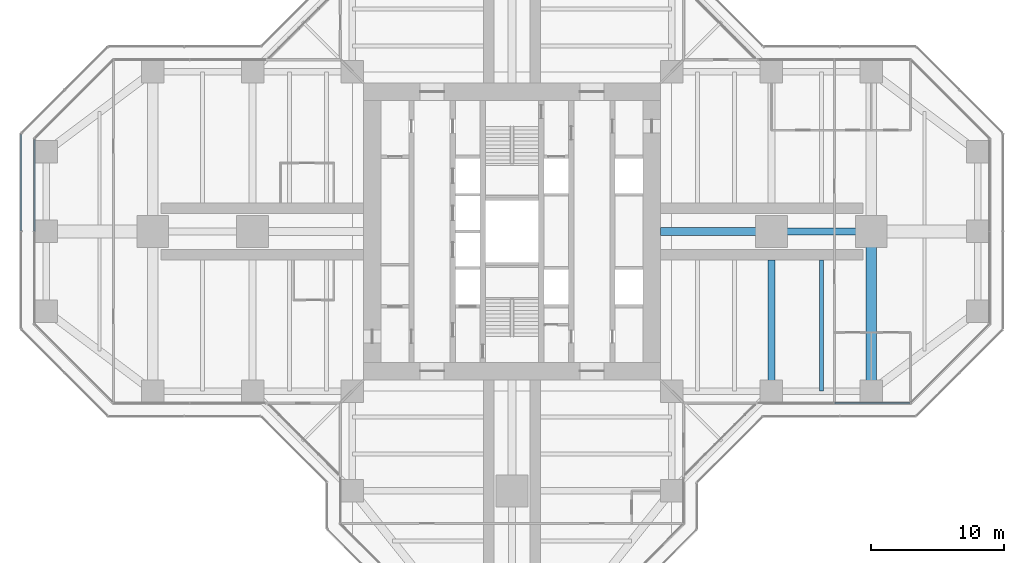
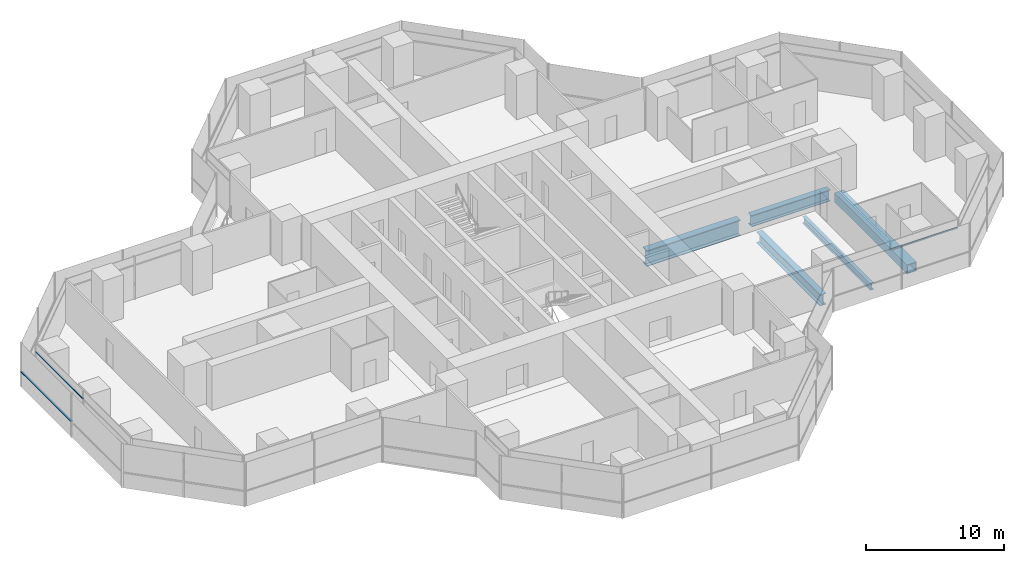
# One storey, part 6 of 19: 5 beams, 3 members, 3 elements without a shape of their own.
"""IFC4 building model written with IfcOpenShell, lengths in metres."""

from ifc_helpers import new_model, si_unit, direction, frame, origin, origin_2d, place, context, subcontext, project, spatial, rectangle, hollow_rectangle, i_section, extrude, material, material_profile, profile_set, type_object, element, aggregate, save


model = new_model("IFC4")

# Units and contexts
model_context = context("Model", 3, precision=1e-05, world=origin(), true_north=direction((0.0, 1.0)))
body_context = subcontext(model_context, "Body", "Model", "MODEL_VIEW")
ifc_project = project(units=[si_unit("LENGTHUNIT", "METRE"), si_unit("AREAUNIT", "SQUARE_METRE"), si_unit("VOLUMEUNIT", "CUBIC_METRE"), si_unit("PLANEANGLEUNIT", "RADIAN"), si_unit("MASSUNIT", "GRAM", prefix="KILO")], contexts=[model_context])

# Site, building, storey
site_placement = place(None, origin())
site = spatial("IfcSite", under=ifc_project, at=site_placement, CompositionType="ELEMENT")
building_placement = place(site_placement, origin())
building = spatial("IfcBuilding", under=site, at=building_placement, Name="Mizan Broadcast Tower", CompositionType="ELEMENT")
storey_placement = place(building_placement, frame((0.0, 0.0, 128.10009765625)))
storey = spatial("IfcBuildingStorey", under=building, at=storey_placement, Name="L28", CompositionType="ELEMENT", Elevation=128.10009765625)

# Beams
ifc_material_1 = material(Name="Steel S460", Category="steel")
ifc_material_profile_1 = material_profile(ifc_material_1, hollow_rectangle(XDim=0.800048828125, YDim=0.800048828125, WallThickness=0.050048828125, at=origin_2d()), Name="BOX 800x800x50")
ifc_profile_set_1 = profile_set([ifc_material_profile_1], Name="Steel S460")
beam_type_1 = type_object("IfcBeamType", Name="GIRDER BOX 800x800x50", PredefinedType="BEAM", material=ifc_profile_set_1)
beam_1_placement = place(storey_placement, frame((27.0, -11.280029296875, -0.530029296875), z_axis=(0.0, 1.0, 0.0), x_axis=(-1.0, 0.0, 0.0)))
element("IfcBeam", 1, at=beam_1_placement, inside=storey, type_object=beam_type_1, Name="Girder BOX 800x800x50 L28 east arm", PredefinedType="BEAM", context=body_context, shape_type="SweptSolid", body=[
    extrude(hollow_rectangle(XDim=0.800048828125, YDim=0.800048828125, WallThickness=0.050048828125, at=origin_2d()), origin(), (0.0, 0.0, 1.0), 10.56005859375),
])
ifc_material_2 = material(Name="Steel S460", Category="steel")
ifc_material_profile_2 = material_profile(ifc_material_2, i_section(OverallWidth=0.5, OverallDepth=1.0, WebThickness=0.02490234375, FlangeThickness=0.050048828125, at=origin_2d()), Name="WPG 1000x500")
ifc_profile_set_2 = profile_set([ifc_material_profile_2], Name="Steel S460")
beam_type_2 = type_object("IfcBeamType", Name="GIRDER WPG 1000x500", PredefinedType="BEAM", material=ifc_profile_set_2)
beam_2_placement = place(storey_placement, frame((19.949951171875, 0.0, -0.630126953125), z_axis=(1.0, 0.0, 0.0), x_axis=(0.0, 1.0, 0.0)))
element("IfcBeam", 2, at=beam_2_placement, inside=storey, type_object=beam_type_2, Name="Girder WPG 1000x500 L28 east arm", PredefinedType="BEAM", context=body_context, shape_type="SweptSolid", body=[
    extrude(i_section(OverallWidth=0.5, OverallDepth=1.0, WebThickness=0.02490234375, FlangeThickness=0.050048828125, at=origin_2d()), origin(), (0.0, 0.0, 1.0), 6.60009765625),
])
beam_3_placement = place(storey_placement, frame((19.5, -11.408935546875, -0.630126953125), z_axis=(0.0, 1.0, 0.0), x_axis=(-1.0, 0.0, 0.0)))
element("IfcBeam", 3, at=beam_3_placement, inside=storey, type_object=beam_type_2, Name="Girder WPG 1000x500 L28 east arm", PredefinedType="BEAM", context=body_context, shape_type="SweptSolid", body=[
    extrude(i_section(OverallWidth=0.5, OverallDepth=1.0, WebThickness=0.02490234375, FlangeThickness=0.050048828125, at=origin_2d()), origin(), (0.0, 0.0, 1.0), 9.259033203125),
])
ifc_material_3 = material(Name="Steel S460", Category="steel")
ifc_material_profile_3 = material_profile(ifc_material_3, i_section(OverallWidth=0.60009765625, OverallDepth=1.39990234375, WebThickness=0.02490234375, FlangeThickness=0.06005859375, at=origin_2d()), Name="WPG 1400x600")
ifc_profile_set_3 = profile_set([ifc_material_profile_3], Name="Steel S460")
beam_type_3 = type_object("IfcBeamType", Name="GIRDER WPG 1400x600", PredefinedType="BEAM", material=ifc_profile_set_3)
beam_4_placement = place(storey_placement, frame((11.14990234375, 0.0, -0.830078125), z_axis=(1.0, 0.0, 0.0), x_axis=(0.0, 1.0, 0.0)))
element("IfcBeam", 4, at=beam_4_placement, inside=storey, type_object=beam_type_3, Name="Girder WPG 1400x600 L28 east arm", PredefinedType="BEAM", context=body_context, shape_type="SweptSolid", body=[
    extrude(i_section(OverallWidth=0.60009765625, OverallDepth=1.39990234375, WebThickness=0.02490234375, FlangeThickness=0.06005859375, at=origin_2d()), origin(), (0.0, 0.0, 1.0), 7.84912109375),
])

# Curtain wall, member
ifc_material_4 = material(Name="Aluminium framed glazing", Category="aluminium")
curtain_wall_type_1 = type_object("IfcCurtainWallType", Name="INNER SKIN MID ZONE", PredefinedType="USERDEFINED", material=ifc_material_4)
curtain_wall_1_placement = place(storey_placement, origin())
curtain_wall_1 = element("IfcCurtainWall", 5, at=curtain_wall_1_placement, inside=storey, type_object=curtain_wall_type_1, Name="Inner skin mid zone L28 E side", ObjectType="INNER SKIN MID ZONE", PredefinedType="USERDEFINED")
ifc_material_5 = material(Name="Aluminium, pale anodised", Category="aluminium")
ifc_material_profile_4 = material_profile(ifc_material_5, rectangle(XDim=0.1201171875, YDim=0.06005859375, at=origin_2d()), Name="TRANSOM 120x60")
ifc_profile_set_4 = profile_set([ifc_material_profile_4], Name="Aluminium, pale anodised")
member_type_1 = type_object("IfcMemberType", Name="INNER SKIN TRANSOM 60x120", PredefinedType="USERDEFINED", material=ifc_profile_set_4)
member_1_placement = place(storey_placement, frame((24.25927734375, -12.89990234375, 3.02978515625), z_axis=(1.0, 0.0, 0.0), x_axis=(0.0, 1.0, 0.0)))
member_1 = element("IfcMember", 6, at=member_1_placement, type_object=member_type_1, Name="Inner skin mid zone L28 E side transom 2.1", ObjectType="TRANSOM", PredefinedType="USERDEFINED", context=body_context, shape_type="SweptSolid", body=[
    extrude(rectangle(XDim=0.1201171875, YDim=0.06005859375, at=origin_2d()), origin(), (0.0, 0.0, 1.0), 5.639404296875),
])
aggregate(curtain_wall_1, [member_1])

curtain_wall_2_placement = place(storey_placement, origin())
curtain_wall_2 = element("IfcCurtainWall", 7, at=curtain_wall_2_placement, inside=storey, type_object=curtain_wall_type_1, Name="Inner skin mid zone L28 W end", ObjectType="INNER SKIN MID ZONE", PredefinedType="USERDEFINED")
member_2_placement = place(storey_placement, frame((-35.89990234375, 6.898681640625, 3.02978515625), z_axis=(0.0, -1.0, 0.0), x_axis=(1.0, 0.0, 0.0)))
member_2 = element("IfcMember", 8, at=member_2_placement, type_object=member_type_1, Name="Inner skin mid zone L28 W end transom 1.1", ObjectType="TRANSOM", PredefinedType="USERDEFINED", context=body_context, shape_type="SweptSolid", body=[
    extrude(rectangle(XDim=0.1201171875, YDim=0.06005859375, at=origin_2d()), origin(), (0.0, 0.0, 1.0), 6.86865234375),
])
aggregate(curtain_wall_2, [member_2])

ifc_material_6 = material(Name="Aluminium framed glazing", Category="aluminium")
curtain_wall_type_2 = type_object("IfcCurtainWallType", Name="OUTER SKIN", PredefinedType="USERDEFINED", material=ifc_material_6)
curtain_wall_3_placement = place(storey_placement, origin())
curtain_wall_3 = element("IfcCurtainWall", 9, at=curtain_wall_3_placement, inside=storey, type_object=curtain_wall_type_2, Name="Outer skin L28 W end", ObjectType="OUTER SKIN", PredefinedType="USERDEFINED")
ifc_material_7 = material(Name="Aluminium, pale anodised", Category="aluminium")
ifc_material_profile_5 = material_profile(ifc_material_7, rectangle(XDim=0.159912109375, YDim=0.06005859375, at=origin_2d()), Name="TRANSOM 160x60")
ifc_profile_set_5 = profile_set([ifc_material_profile_5], Name="Aluminium, pale anodised")
member_type_2 = type_object("IfcMemberType", Name="OUTER SKIN TRANSOM 60x160", PredefinedType="USERDEFINED", material=ifc_profile_set_5)
member_3_placement = place(storey_placement, frame((-36.89990234375, 7.292724609375, 1.39990234375), z_axis=(0.0, -1.0, 0.0), x_axis=(1.0, 0.0, 0.0)))
member_3 = element("IfcMember", 10, at=member_3_placement, type_object=member_type_2, Name="Outer skin L28 W end transom 1.1", ObjectType="TRANSOM", PredefinedType="USERDEFINED", context=body_context, shape_type="SweptSolid", body=[
    extrude(rectangle(XDim=0.159912109375, YDim=0.06005859375, at=origin_2d()), origin(), (0.0, 0.0, 1.0), 7.252685546875),
])
aggregate(curtain_wall_3, [member_3])

# Beam
ifc_material_8 = material(Name="Steel S355", Category="steel")
ifc_material_profile_6 = material_profile(ifc_material_8, i_section(OverallWidth=0.300048828125, OverallDepth=0.590087890625, WebThickness=0.012939453125, FlangeThickness=0.02490234375, FilletRadius=0.027099609375, at=origin_2d()), Name="HEA 600")
ifc_profile_set_6 = profile_set([ifc_material_profile_6], Name="Steel S355")
beam_type_4 = type_object("IfcBeamType", Name="SECONDARY BEAM HEA 600", PredefinedType="JOIST", material=ifc_profile_set_6)
beam_5_placement = place(storey_placement, frame((23.25, -12.0, -0.425048828125), z_axis=(0.0, 1.0, 0.0), x_axis=(-1.0, 0.0, 0.0)))
element("IfcBeam", 11, at=beam_5_placement, inside=storey, type_object=beam_type_4, Name="Secondary beam HEA 600 L28 east arm", PredefinedType="JOIST", context=body_context, shape_type="SweptSolid", body=[
    extrude(i_section(OverallWidth=0.300048828125, OverallDepth=0.590087890625, WebThickness=0.012939453125, FlangeThickness=0.02490234375, FilletRadius=0.027099609375, at=origin_2d()), origin(), (0.0, 0.0, 1.0), 9.85009765625),
])

save(model, "model.ifc")
